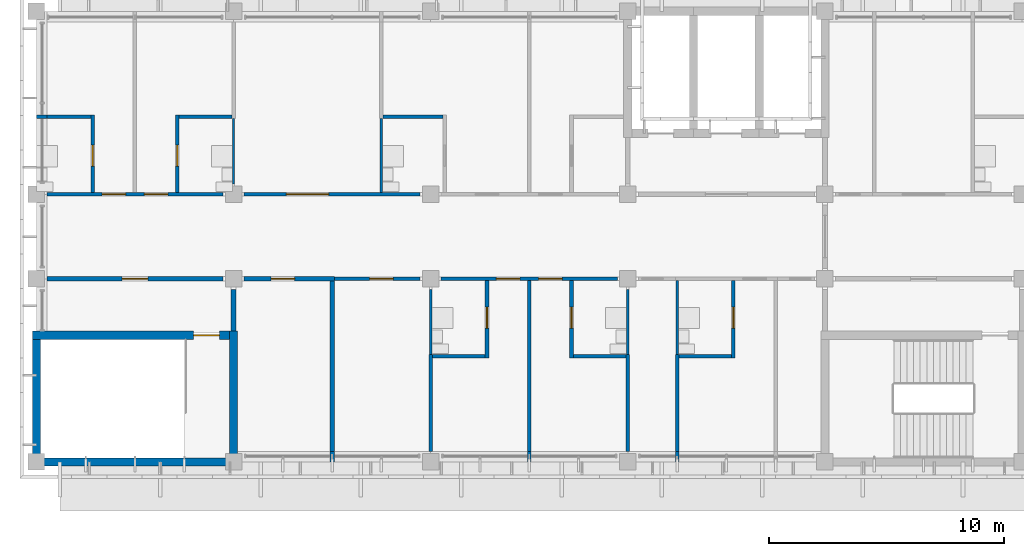
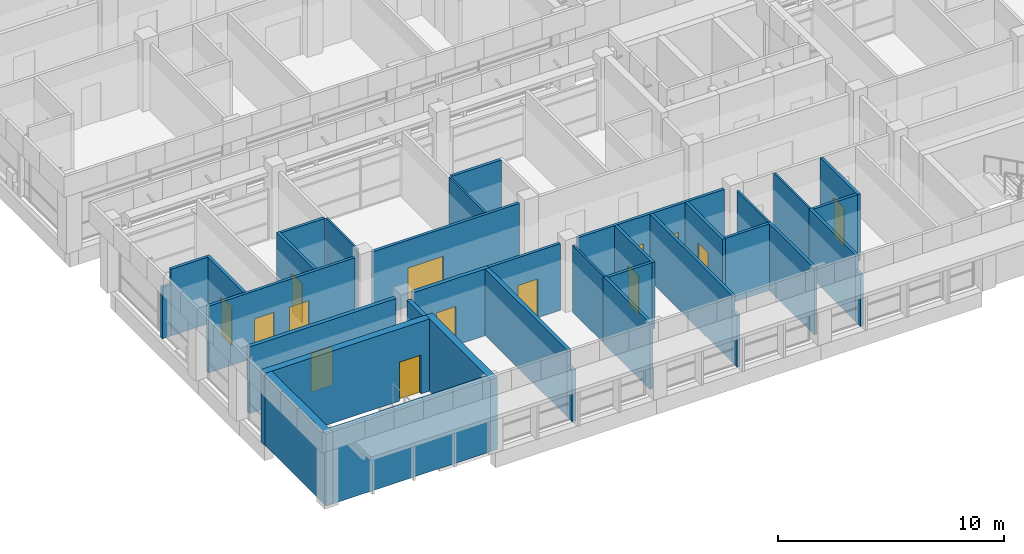
# One storey, part 27 of 71: 36 walls, 14 doors, 14 openings.
"""IFC4 building model written with IfcOpenShell, lengths in metres."""

from ifc_helpers import new_model, si_unit, direction, frame, frame_2d, origin, place, context, subcontext, project, spatial, rectangle, extrude, material, layer, layer_set, type_object, element, fill, save


model = new_model("IFC4")

# Units and contexts
model_context = context("Model", 3, precision=1e-05, world=origin(), true_north=direction((0.0, 1.0)))
body_context = subcontext(model_context, "Body", "Model", "MODEL_VIEW")
ifc_project = project(units=[si_unit("LENGTHUNIT", "METRE"), si_unit("AREAUNIT", "SQUARE_METRE"), si_unit("VOLUMEUNIT", "CUBIC_METRE"), si_unit("PLANEANGLEUNIT", "RADIAN"), si_unit("MASSUNIT", "GRAM", prefix="KILO")], contexts=[model_context])

# Site, building, storey
site_placement = place(None, origin())
site = spatial("IfcSite", under=ifc_project, at=site_placement, CompositionType="ELEMENT")
building_placement = place(site_placement, origin())
building = spatial("IfcBuilding", under=site, at=building_placement, Name="Bougainvillea Quay General Hospital", CompositionType="ELEMENT")
storey_placement = place(building_placement, frame((0.0, 0.0, 24.89990234375)))
storey = spatial("IfcBuildingStorey", under=building, at=storey_placement, Name="L05", CompositionType="ELEMENT", Elevation=24.89990234375)

# Walls
ifc_material_1 = material(Name="Gypsum board partition on steel studs", Category="steel")
ifc_layer_1 = layer(ifc_material_1, 0.10009765625)
ifc_layer_set_1 = layer_set([ifc_layer_1], Name="Gypsum board partition on steel studs")
wall_type_1 = type_object("IfcWallType", Name="Partition 100 Gypsum board partition", PredefinedType="PARTITIONING", material=ifc_layer_set_1)
wall_1_placement = place(storey_placement, frame((50.39990234375, 129.449951171875, 0.0), z_axis=(0.0, 0.0, 1.0), x_axis=(0.0, 1.0, 0.0)))
element("IfcWall", 1, at=wall_1_placement, inside=storey, type_object=wall_type_1, Name="Partition 100 mm", PredefinedType="PARTITIONING", context=body_context, shape_type="SweptSolid", body=[
    extrude(rectangle(XDim=2.775146484375, YDim=0.10009765625, at=frame_2d((1.3876953125, 0.0))), origin(), (0.0, 0.0, 1.0), 3.60009765625),
])
wall_2_placement = place(storey_placement, frame((56.699951171875, 129.074951171875, 0.0), z_axis=(0.0, 0.0, 1.0), x_axis=(0.0, 1.0, 0.0)))
element("IfcWall", 2, at=wall_2_placement, inside=storey, type_object=wall_type_1, Name="Partition 100 mm", PredefinedType="PARTITIONING", context=body_context, shape_type="SweptSolid", body=[
    extrude(rectangle(XDim=3.150146484375, YDim=0.10009765625, at=frame_2d((1.5751953125, 0.0))), origin(), (0.0, 0.0, 1.0), 3.60009765625),
])
for number, where, z_axis, x_axis, name in (
    (3, (58.800048828125, 122.175048828125, 0.0), (0.0, 0.0, 1.0), (0.0, 1.0, 0.0), "Partition 100 mm"),
    (4, (67.199951171875, 122.175048828125, 0.0), (0.0, 0.0, 1.0), (0.0, 1.0, 0.0), "Partition 100 mm"),
):
    element("IfcWall", number, at=place(storey_placement, frame(where, z_axis=z_axis, x_axis=x_axis)), inside=storey, type_object=wall_type_1, Name=name, PredefinedType="PARTITIONING", context=body_context, shape_type="SweptSolid", body=[
        extrude(rectangle(XDim=2.77490234375, YDim=0.10009765625, at=frame_2d((1.387451171875, 0.0))), origin(), (0.0, 0.0, 1.0), 3.60009765625),
    ])
wall_3_placement = place(storey_placement, frame((69.300048828125, 122.175048828125, 0.0), z_axis=(0.0, 0.0, 1.0), x_axis=(0.0, 1.0, 0.0)))
element("IfcWall", 5, at=wall_3_placement, inside=storey, type_object=wall_type_1, Name="Partition 100 mm", PredefinedType="PARTITIONING", context=body_context, shape_type="SweptSolid", body=[
    extrude(rectangle(XDim=3.14990234375, YDim=0.10009765625, at=frame_2d((1.574951171875, 0.0))), origin(), (0.0, 0.0, 1.0), 3.60009765625),
])
ifc_material_2 = material(Name="Gypsum board partition on steel studs, insulated", Category="steel")
ifc_layer_2 = layer(ifc_material_2, 0.14990234375)
ifc_layer_set_2 = layer_set([ifc_layer_2], Name="Gypsum board partition on steel studs, insulated")
wall_type_2 = type_object("IfcWallType", Name="Partition 150 Gypsum board partition", PredefinedType="PARTITIONING", material=ifc_layer_set_2)
wall_4_placement = place(storey_placement, frame((63.0, 117.60009765625, 0.0), z_axis=(0.0, 0.0, 1.0), x_axis=(0.0, 1.0, 0.0)))
element("IfcWall", 6, at=wall_4_placement, inside=storey, type_object=wall_type_2, Name="Partition 150 mm", PredefinedType="PARTITIONING", context=body_context, shape_type="SweptSolid", body=[
    extrude(rectangle(XDim=0.449951171875, YDim=0.14990234375, at=frame_2d((0.22509765625, 0.0))), origin(), (0.0, 0.0, 1.0), 2.780029296875),
])
wall_5_placement = place(storey_placement, frame((63.0, 118.050048828125, 0.0), z_axis=(0.0, 0.0, 1.0), x_axis=(0.0, 1.0, 0.0)))
element("IfcWall", 7, at=wall_5_placement, inside=storey, type_object=wall_type_2, Name="Partition 150 mm", PredefinedType="PARTITIONING", context=body_context, shape_type="SweptSolid", body=[
    extrude(rectangle(XDim=7.27490234375, YDim=0.14990234375, at=frame_2d((3.637451171875, 0.0))), origin(), (0.0, 0.0, 1.0), 3.60009765625),
])
for number, where, z_axis, x_axis, name in (
    (8, (58.800048828125, 118.050048828125, 0.0), (0.0, 0.0, 1.0), (0.0, 1.0, 0.0), "Partition 150 mm"),
    (9, (67.199951171875, 118.050048828125, 0.0), (0.0, 0.0, 1.0), (0.0, 1.0, 0.0), "Partition 150 mm"),
):
    element("IfcWall", number, at=place(storey_placement, frame(where, z_axis=z_axis, x_axis=x_axis)), inside=storey, type_object=wall_type_2, Name=name, PredefinedType="PARTITIONING", context=body_context, shape_type="SweptSolid", body=[
        extrude(rectangle(XDim=4.125, YDim=0.14990234375, at=frame_2d((2.0625, 0.0))), origin(), (0.0, 0.0, 1.0), 3.60009765625),
    ])
wall_6_placement = place(storey_placement, frame((69.300048828125, 117.60009765625, 0.0), z_axis=(0.0, 0.0, 1.0), x_axis=(0.0, 1.0, 0.0)))
element("IfcWall", 10, at=wall_6_placement, inside=storey, type_object=wall_type_2, Name="Partition 150 mm", PredefinedType="PARTITIONING", context=body_context, shape_type="SweptSolid", body=[
    extrude(rectangle(XDim=0.449951171875, YDim=0.14990234375, at=frame_2d((0.22509765625, 0.0))), origin(), (0.0, 0.0, 1.0), 2.780029296875),
])
wall_7_placement = place(storey_placement, frame((69.300048828125, 118.050048828125, 0.0), z_axis=(0.0, 0.0, 1.0), x_axis=(0.0, 1.0, 0.0)))
element("IfcWall", 11, at=wall_7_placement, inside=storey, type_object=wall_type_2, Name="Partition 150 mm", PredefinedType="PARTITIONING", context=body_context, shape_type="SweptSolid", body=[
    extrude(rectangle(XDim=4.125, YDim=0.14990234375, at=frame_2d((2.0625, 0.0))), origin(), (0.0, 0.0, 1.0), 3.60009765625),
])

# Wall, opening, door
wall_8_placement = place(storey_placement, frame((44.39990234375, 129.074951171875, 0.0), z_axis=(0.0, 0.0, 1.0), x_axis=(0.0, 1.0, 0.0)))
wall_8 = element("IfcWall", 12, at=wall_8_placement, inside=storey, type_object=wall_type_2, Name="Partition 150 mm", PredefinedType="PARTITIONING", context=body_context, shape_type="SweptSolid", body=[
    extrude(rectangle(XDim=3.300048828125, YDim=0.14990234375, at=frame_2d((1.64990234375, 0.0))), origin(), (0.0, 0.0, 1.0), 3.60009765625),
])
opening_1_placement = place(wall_8_placement, frame((1.125, 0.0, 0.0)))
opening_1 = element("IfcOpeningElement", 13, at=opening_1_placement, cuts=wall_8, Name="Opening L05.079", PredefinedType="OPENING", context=body_context, shape_type="SweptSolid", body=[
    extrude(rectangle(XDim=0.89990234375, YDim=2.10009765625, at=frame_2d((0.449951171875, 1.050048828125))), frame((0.0, 0.0849609375, 0.0), z_axis=(0.0, -1.0, 0.0), x_axis=(1.0, 0.0, 0.0)), (0.0, 0.0, 1.0), 0.169921875),
])
ifc_material_3 = material(Name="Solid-core timber door leaf in steel frame", Category="steel")
door_type_1 = type_object("IfcDoorType", Name="Single leaf door 900x2100", OperationType="NOTDEFINED", PredefinedType="DOOR", material=ifc_material_3)
door_1_placement = place(opening_1_placement, origin())
door_1 = element("IfcDoor", 14, at=door_1_placement, inside=storey, type_object=door_type_1, Name="DT07 L05.079", OperationType="SINGLE_SWING_LEFT", OverallHeight=2.10009765625, OverallWidth=0.89990234375, PredefinedType="DOOR", context=body_context, shape_type="SweptSolid", body=[
    extrude(rectangle(XDim=0.89990234375, YDim=2.10009765625, at=frame_2d((0.449951171875, 1.050048828125))), frame((0.0, 0.02490234375, 0.0), z_axis=(0.0, -1.0, 0.0), x_axis=(1.0, 0.0, 0.0)), (0.0, 0.0, 1.0), 0.050048828125),
])
fill(opening_1, door_1)

wall_9_placement = place(storey_placement, frame((48.0, 129.074951171875, 0.0), z_axis=(0.0, 0.0, 1.0), x_axis=(0.0, 1.0, 0.0)))
wall_9 = element("IfcWall", 15, at=wall_9_placement, inside=storey, type_object=wall_type_2, Name="Partition 150 mm", PredefinedType="PARTITIONING", context=body_context, shape_type="SweptSolid", body=[
    extrude(rectangle(XDim=3.300048828125, YDim=0.14990234375, at=frame_2d((1.64990234375, 0.0))), origin(), (0.0, 0.0, 1.0), 3.60009765625),
])
opening_2_placement = place(wall_9_placement, frame((1.125, 0.0, 0.0)))
opening_2 = element("IfcOpeningElement", 16, at=opening_2_placement, cuts=wall_9, Name="Opening L05.081", PredefinedType="OPENING", context=body_context, shape_type="SweptSolid", body=[
    extrude(rectangle(XDim=0.89990234375, YDim=2.10009765625, at=frame_2d((0.449951171875, 1.050048828125))), frame((0.0, 0.0849609375, 0.0), z_axis=(0.0, -1.0, 0.0), x_axis=(1.0, 0.0, 0.0)), (0.0, 0.0, 1.0), 0.169921875),
])
door_2_placement = place(opening_2_placement, frame((0.89990234375, 0.0, 0.0), z_axis=(0.0, 0.0, 1.0), x_axis=(-1.0, 0.0, 0.0)))
door_2 = element("IfcDoor", 17, at=door_2_placement, inside=storey, type_object=door_type_1, Name="DT07 L05.081", OperationType="SINGLE_SWING_RIGHT", OverallHeight=2.10009765625, OverallWidth=0.89990234375, PredefinedType="DOOR", context=body_context, shape_type="SweptSolid", body=[
    extrude(rectangle(XDim=0.89990234375, YDim=2.10009765625, at=frame_2d((0.449951171875, 1.050048828125))), frame((0.0, 0.02490234375, 0.0), z_axis=(0.0, -1.0, 0.0), x_axis=(1.0, 0.0, 0.0)), (0.0, 0.0, 1.0), 0.050048828125),
])
fill(opening_2, door_2)

wall_10_placement = place(storey_placement, frame((61.199951171875, 122.02490234375, 0.0), z_axis=(0.0, 0.0, 1.0), x_axis=(0.0, 1.0, 0.0)))
wall_10 = element("IfcWall", 18, at=wall_10_placement, inside=storey, type_object=wall_type_2, Name="Partition 150 mm", PredefinedType="PARTITIONING", context=body_context, shape_type="SweptSolid", body=[
    extrude(rectangle(XDim=3.300048828125, YDim=0.14990234375, at=frame_2d((1.64990234375, 0.0))), origin(), (0.0, 0.0, 1.0), 3.60009765625),
])
opening_3_placement = place(wall_10_placement, frame((1.27490234375, 0.0, 0.0)))
opening_3 = element("IfcOpeningElement", 19, at=opening_3_placement, cuts=wall_10, Name="Opening L05.089", PredefinedType="OPENING", context=body_context, shape_type="SweptSolid", body=[
    extrude(rectangle(XDim=0.89990234375, YDim=2.10009765625, at=frame_2d((0.449951171875, 1.050048828125))), frame((0.0, 0.0849609375, 0.0), z_axis=(0.0, -1.0, 0.0), x_axis=(1.0, 0.0, 0.0)), (0.0, 0.0, 1.0), 0.169921875),
])
door_3_placement = place(opening_3_placement, origin())
door_3 = element("IfcDoor", 20, at=door_3_placement, inside=storey, type_object=door_type_1, Name="DT07 L05.089", OperationType="SINGLE_SWING_RIGHT", OverallHeight=2.10009765625, OverallWidth=0.89990234375, PredefinedType="DOOR", context=body_context, shape_type="SweptSolid", body=[
    extrude(rectangle(XDim=0.89990234375, YDim=2.10009765625, at=frame_2d((0.449951171875, 1.050048828125))), frame((0.0, 0.02490234375, 0.0), z_axis=(0.0, -1.0, 0.0), x_axis=(1.0, 0.0, 0.0)), (0.0, 0.0, 1.0), 0.050048828125),
])
fill(opening_3, door_3)

wall_11_placement = place(storey_placement, frame((64.800048828125, 122.02490234375, 0.0), z_axis=(0.0, 0.0, 1.0), x_axis=(0.0, 1.0, 0.0)))
wall_11 = element("IfcWall", 21, at=wall_11_placement, inside=storey, type_object=wall_type_2, Name="Partition 150 mm", PredefinedType="PARTITIONING", context=body_context, shape_type="SweptSolid", body=[
    extrude(rectangle(XDim=3.300048828125, YDim=0.14990234375, at=frame_2d((1.64990234375, 0.0))), origin(), (0.0, 0.0, 1.0), 3.60009765625),
])
opening_4_placement = place(wall_11_placement, frame((1.27490234375, 0.0, 0.0)))
opening_4 = element("IfcOpeningElement", 22, at=opening_4_placement, cuts=wall_11, Name="Opening L05.091", PredefinedType="OPENING", context=body_context, shape_type="SweptSolid", body=[
    extrude(rectangle(XDim=0.89990234375, YDim=2.10009765625, at=frame_2d((0.449951171875, 1.050048828125))), frame((0.0, 0.0849609375, 0.0), z_axis=(0.0, -1.0, 0.0), x_axis=(1.0, 0.0, 0.0)), (0.0, 0.0, 1.0), 0.169921875),
])
door_4_placement = place(opening_4_placement, frame((0.89990234375, 0.0, 0.0), z_axis=(0.0, 0.0, 1.0), x_axis=(-1.0, 0.0, 0.0)))
door_4 = element("IfcDoor", 23, at=door_4_placement, inside=storey, type_object=door_type_1, Name="DT07 L05.091", OperationType="SINGLE_SWING_LEFT", OverallHeight=2.10009765625, OverallWidth=0.89990234375, PredefinedType="DOOR", context=body_context, shape_type="SweptSolid", body=[
    extrude(rectangle(XDim=0.89990234375, YDim=2.10009765625, at=frame_2d((0.449951171875, 1.050048828125))), frame((0.0, 0.02490234375, 0.0), z_axis=(0.0, -1.0, 0.0), x_axis=(1.0, 0.0, 0.0)), (0.0, 0.0, 1.0), 0.050048828125),
])
fill(opening_4, door_4)

wall_12_placement = place(storey_placement, frame((71.699951171875, 122.02490234375, 0.0), z_axis=(0.0, 0.0, 1.0), x_axis=(0.0, 1.0, 0.0)))
wall_12 = element("IfcWall", 24, at=wall_12_placement, inside=storey, type_object=wall_type_2, Name="Partition 150 mm", PredefinedType="PARTITIONING", context=body_context, shape_type="SweptSolid", body=[
    extrude(rectangle(XDim=3.300048828125, YDim=0.14990234375, at=frame_2d((1.64990234375, 0.0))), origin(), (0.0, 0.0, 1.0), 3.60009765625),
])
opening_5_placement = place(wall_12_placement, frame((1.27490234375, 0.0, 0.0)))
opening_5 = element("IfcOpeningElement", 25, at=opening_5_placement, cuts=wall_12, Name="Opening L05.094", PredefinedType="OPENING", context=body_context, shape_type="SweptSolid", body=[
    extrude(rectangle(XDim=0.89990234375, YDim=2.10009765625, at=frame_2d((0.449951171875, 1.050048828125))), frame((0.0, 0.0849609375, 0.0), z_axis=(0.0, -1.0, 0.0), x_axis=(1.0, 0.0, 0.0)), (0.0, 0.0, 1.0), 0.169921875),
])
door_5_placement = place(opening_5_placement, origin())
door_5 = element("IfcDoor", 26, at=door_5_placement, inside=storey, type_object=door_type_1, Name="DT07 L05.094", OperationType="SINGLE_SWING_RIGHT", OverallHeight=2.10009765625, OverallWidth=0.89990234375, PredefinedType="DOOR", context=body_context, shape_type="SweptSolid", body=[
    extrude(rectangle(XDim=0.89990234375, YDim=2.10009765625, at=frame_2d((0.449951171875, 1.050048828125))), frame((0.0, 0.02490234375, 0.0), z_axis=(0.0, -1.0, 0.0), x_axis=(1.0, 0.0, 0.0)), (0.0, 0.0, 1.0), 0.050048828125),
])
fill(opening_5, door_5)

# Walls
wall_13_placement = place(storey_placement, frame((56.77490234375, 132.300048828125, 0.0), z_axis=(0.0, 0.0, 1.0), x_axis=(1.0, 0.0, 0.0)))
element("IfcWall", 27, at=wall_13_placement, inside=storey, type_object=wall_type_2, Name="Partition 150 mm", PredefinedType="PARTITIONING", context=body_context, shape_type="SweptSolid", body=[
    extrude(rectangle(XDim=2.550048828125, YDim=0.14990234375, at=frame_2d((1.27490234375, 0.0))), origin(), (0.0, 0.0, 1.0), 3.60009765625),
])
for number, where, z_axis, x_axis, name in (
    (28, (58.875, 122.10009765625, 0.0), (0.0, 0.0, 1.0), (1.0, 0.0, 0.0), "Partition 150 mm"),
    (29, (64.875, 122.10009765625, 0.0), (0.0, 0.0, 1.0), (1.0, 0.0, 0.0), "Partition 150 mm"),
    (30, (69.375, 122.10009765625, 0.0), (0.0, 0.0, 1.0), (1.0, 0.0, 0.0), "Partition 150 mm"),
):
    element("IfcWall", number, at=place(storey_placement, frame(where, z_axis=z_axis, x_axis=x_axis)), inside=storey, type_object=wall_type_2, Name=name, PredefinedType="PARTITIONING", context=body_context, shape_type="SweptSolid", body=[
        extrude(rectangle(XDim=2.25, YDim=0.14990234375, at=frame_2d((1.125, 0.0))), origin(), (0.0, 0.0, 1.0), 3.60009765625),
    ])
wall_14_placement = place(storey_placement, frame((42.0, 132.300048828125, 0.0), z_axis=(0.0, 0.0, 1.0), x_axis=(1.0, 0.0, 0.0)))
element("IfcWall", 31, at=wall_14_placement, inside=storey, type_object=wall_type_2, Name="Partition 150 mm", PredefinedType="PARTITIONING", context=body_context, shape_type="SweptSolid", body=[
    extrude(rectangle(XDim=0.449951171875, YDim=0.14990234375, at=frame_2d((0.22509765625, 0.0))), origin(), (0.0, 0.0, 1.0), 2.780029296875),
])
wall_15_placement = place(storey_placement, frame((42.449951171875, 132.300048828125, 0.0), z_axis=(0.0, 0.0, 1.0), x_axis=(1.0, 0.0, 0.0)))
element("IfcWall", 32, at=wall_15_placement, inside=storey, type_object=wall_type_2, Name="Partition 150 mm", PredefinedType="PARTITIONING", context=body_context, shape_type="SweptSolid", body=[
    extrude(rectangle(XDim=1.875, YDim=0.14990234375, at=frame_2d((0.9375, 0.0))), origin(), (0.0, 0.0, 1.0), 3.60009765625),
])
wall_16_placement = place(storey_placement, frame((48.074951171875, 132.300048828125, 0.0), z_axis=(0.0, 0.0, 1.0), x_axis=(1.0, 0.0, 0.0)))
element("IfcWall", 33, at=wall_16_placement, inside=storey, type_object=wall_type_2, Name="Partition 150 mm", PredefinedType="PARTITIONING", context=body_context, shape_type="SweptSolid", body=[
    extrude(rectangle(XDim=2.25, YDim=0.14990234375, at=frame_2d((1.125, 0.0))), origin(), (0.0, 0.0, 1.0), 3.60009765625),
])

# Wall, opening, door
ifc_layer_3 = layer(ifc_material_2, 0.14990234375)
ifc_layer_set_3 = layer_set([ifc_layer_3], Name="Gypsum board partition on steel studs, insulated")
wall_type_3 = type_object("IfcWallType", Name="Partition 150 Gypsum board partition EI 30", PredefinedType="PARTITIONING", material=ifc_layer_set_3)
wall_17_placement = place(storey_placement, frame((58.35009765625, 129.0, 0.0), z_axis=(0.0, 0.0, 1.0), x_axis=(-1.0, 0.0, 0.0)))
wall_17 = element("IfcWall", 34, at=wall_17_placement, inside=storey, type_object=wall_type_3, Name="Partition 150 mm EI 30", PredefinedType="PARTITIONING", context=body_context, shape_type="SweptSolid", body=[
    extrude(rectangle(XDim=7.5, YDim=0.14990234375, at=frame_2d((3.75, 0.0))), origin(), (0.0, 0.0, 1.0), 3.60009765625),
])
opening_6_placement = place(wall_17_placement, frame((3.89990234375, 0.0, 0.0)))
opening_6 = element("IfcOpeningElement", 35, at=opening_6_placement, cuts=wall_17, Name="Opening L05.082", PredefinedType="OPENING", context=body_context, shape_type="SweptSolid", body=[
    extrude(rectangle(XDim=1.800048828125, YDim=2.10009765625, at=frame_2d((0.89990234375, 1.050048828125))), frame((0.0, 0.0849609375, 0.0), z_axis=(0.0, -1.0, 0.0), x_axis=(1.0, 0.0, 0.0)), (0.0, 0.0, 1.0), 0.169921875),
])
ifc_material_4 = material(Name="Solid-core timber door leaves in steel frame", Category="steel")
door_type_2 = type_object("IfcDoorType", Name="Double leaf door 1800x2100 FD30S", OperationType="DOUBLE_DOOR_SINGLE_SWING", PredefinedType="DOOR", material=ifc_material_4)
door_6_placement = place(opening_6_placement, frame((1.800048828125, 0.0, 0.0), z_axis=(0.0, 0.0, 1.0), x_axis=(-1.0, 0.0, 0.0)))
door_6 = element("IfcDoor", 36, at=door_6_placement, inside=storey, type_object=door_type_2, Name="DT17 L05.082", OperationType="DOUBLE_DOOR_SINGLE_SWING", OverallHeight=2.10009765625, OverallWidth=1.800048828125, PredefinedType="DOOR", context=body_context, shape_type="SweptSolid", body=[
    extrude(rectangle(XDim=1.800048828125, YDim=2.10009765625, at=frame_2d((0.89990234375, 1.050048828125))), frame((0.0, 0.02490234375, 0.0), z_axis=(0.0, -1.0, 0.0), x_axis=(1.0, 0.0, 0.0)), (0.0, 0.0, 1.0), 0.050048828125),
])
fill(opening_6, door_6)

# Wall, openings, doors
wall_18_placement = place(storey_placement, frame((49.949951171875, 129.0, 0.0), z_axis=(0.0, 0.0, 1.0), x_axis=(-1.0, 0.0, 0.0)))
wall_18 = element("IfcWall", 37, at=wall_18_placement, inside=storey, type_object=wall_type_3, Name="Partition 150 mm EI 30", PredefinedType="PARTITIONING", context=body_context, shape_type="SweptSolid", body=[
    extrude(rectangle(XDim=7.5, YDim=0.14990234375, at=frame_2d((3.75, 0.0))), origin(), (0.0, 0.0, 1.0), 3.60009765625),
])
opening_7_placement = place(wall_18_placement, frame((4.14990234375, 0.0, 0.0)))
opening_7 = element("IfcOpeningElement", 38, at=opening_7_placement, cuts=wall_18, Name="Opening L05.078", PredefinedType="OPENING", context=body_context, shape_type="SweptSolid", body=[
    extrude(rectangle(XDim=1.0, YDim=2.10009765625, at=frame_2d((0.5, 1.050048828125))), frame((0.0, 0.0849609375, 0.0), z_axis=(0.0, -1.0, 0.0), x_axis=(1.0, 0.0, 0.0)), (0.0, 0.0, 1.0), 0.169921875),
])
opening_8_placement = place(wall_18_placement, frame((2.35009765625, 0.0, 0.0)))
opening_8 = element("IfcOpeningElement", 39, at=opening_8_placement, cuts=wall_18, Name="Opening L05.080", PredefinedType="OPENING", context=body_context, shape_type="SweptSolid", body=[
    extrude(rectangle(XDim=1.0, YDim=2.10009765625, at=frame_2d((0.5, 1.050048828125))), frame((0.0, 0.0849609375, 0.0), z_axis=(0.0, -1.0, 0.0), x_axis=(1.0, 0.0, 0.0)), (0.0, 0.0, 1.0), 0.169921875),
])
door_type_3 = type_object("IfcDoorType", Name="Single leaf door 1000x2100 FD30S", OperationType="NOTDEFINED", PredefinedType="DOOR", material=ifc_material_3)
door_7_placement = place(opening_7_placement, frame((1.0, 0.0, 0.0), z_axis=(0.0, 0.0, 1.0), x_axis=(-1.0, 0.0, 0.0)))
door_7 = element("IfcDoor", 40, at=door_7_placement, inside=storey, type_object=door_type_3, Name="DT15 L05.078", OperationType="SINGLE_SWING_LEFT", OverallHeight=2.10009765625, OverallWidth=1.0, PredefinedType="DOOR", context=body_context, shape_type="SweptSolid", body=[
    extrude(rectangle(XDim=1.0, YDim=2.10009765625, at=frame_2d((0.5, 1.050048828125))), frame((0.0, 0.02490234375, 0.0), z_axis=(0.0, -1.0, 0.0), x_axis=(1.0, 0.0, 0.0)), (0.0, 0.0, 1.0), 0.050048828125),
])
fill(opening_7, door_7)
door_8_placement = place(opening_8_placement, frame((1.0, 0.0, 0.0), z_axis=(0.0, 0.0, 1.0), x_axis=(-1.0, 0.0, 0.0)))
door_8 = element("IfcDoor", 41, at=door_8_placement, inside=storey, type_object=door_type_3, Name="DT15 L05.080", OperationType="SINGLE_SWING_RIGHT", OverallHeight=2.10009765625, OverallWidth=1.0, PredefinedType="DOOR", context=body_context, shape_type="SweptSolid", body=[
    extrude(rectangle(XDim=1.0, YDim=2.10009765625, at=frame_2d((0.5, 1.050048828125))), frame((0.0, 0.02490234375, 0.0), z_axis=(0.0, -1.0, 0.0), x_axis=(1.0, 0.0, 0.0)), (0.0, 0.0, 1.0), 0.050048828125),
])
fill(opening_8, door_8)

wall_19_placement = place(storey_placement, frame((66.75, 125.39990234375, 0.0), z_axis=(0.0, 0.0, 1.0), x_axis=(-1.0, 0.0, 0.0)))
wall_19 = element("IfcWall", 42, at=wall_19_placement, inside=storey, type_object=wall_type_3, Name="Partition 150 mm EI 30", PredefinedType="PARTITIONING", context=body_context, shape_type="SweptSolid", body=[
    extrude(rectangle(XDim=7.5, YDim=0.14990234375, at=frame_2d((3.75, 0.0))), origin(), (0.0, 0.0, 1.0), 3.60009765625),
])
opening_9_placement = place(wall_19_placement, frame((4.14990234375, 0.0, 0.0)))
opening_9 = element("IfcOpeningElement", 43, at=opening_9_placement, cuts=wall_19, Name="Opening L05.088", PredefinedType="OPENING", context=body_context, shape_type="SweptSolid", body=[
    extrude(rectangle(XDim=1.0, YDim=2.10009765625, at=frame_2d((0.5, 1.050048828125))), frame((0.0, 0.0849609375, 0.0), z_axis=(0.0, -1.0, 0.0), x_axis=(1.0, 0.0, 0.0)), (0.0, 0.0, 1.0), 0.169921875),
])
opening_10_placement = place(wall_19_placement, frame((2.35009765625, 0.0, 0.0)))
opening_10 = element("IfcOpeningElement", 44, at=opening_10_placement, cuts=wall_19, Name="Opening L05.090", PredefinedType="OPENING", context=body_context, shape_type="SweptSolid", body=[
    extrude(rectangle(XDim=1.0, YDim=2.10009765625, at=frame_2d((0.5, 1.050048828125))), frame((0.0, 0.0849609375, 0.0), z_axis=(0.0, -1.0, 0.0), x_axis=(1.0, 0.0, 0.0)), (0.0, 0.0, 1.0), 0.169921875),
])
door_9_placement = place(opening_9_placement, origin())
door_9 = element("IfcDoor", 45, at=door_9_placement, inside=storey, type_object=door_type_3, Name="DT15 L05.088", OperationType="SINGLE_SWING_RIGHT", OverallHeight=2.10009765625, OverallWidth=1.0, PredefinedType="DOOR", context=body_context, shape_type="SweptSolid", body=[
    extrude(rectangle(XDim=1.0, YDim=2.10009765625, at=frame_2d((0.5, 1.050048828125))), frame((0.0, 0.02490234375, 0.0), z_axis=(0.0, -1.0, 0.0), x_axis=(1.0, 0.0, 0.0)), (0.0, 0.0, 1.0), 0.050048828125),
])
fill(opening_9, door_9)
door_10_placement = place(opening_10_placement, origin())
door_10 = element("IfcDoor", 46, at=door_10_placement, inside=storey, type_object=door_type_3, Name="DT15 L05.090", OperationType="SINGLE_SWING_LEFT", OverallHeight=2.10009765625, OverallWidth=1.0, PredefinedType="DOOR", context=body_context, shape_type="SweptSolid", body=[
    extrude(rectangle(XDim=1.0, YDim=2.10009765625, at=frame_2d((0.5, 1.050048828125))), frame((0.0, 0.02490234375, 0.0), z_axis=(0.0, -1.0, 0.0), x_axis=(1.0, 0.0, 0.0)), (0.0, 0.0, 1.0), 0.050048828125),
])
fill(opening_10, door_10)

# Wall, opening, door
ifc_layer_4 = layer(ifc_material_2, 0.14990234375)
ifc_layer_set_4 = layer_set([ifc_layer_4], Name="Gypsum board partition on steel studs, insulated")
wall_type_4 = type_object("IfcWallType", Name="Partition 150 Gypsum board partition EI 60", PredefinedType="PARTITIONING", material=ifc_layer_set_4)
wall_20_placement = place(storey_placement, frame((54.699951171875, 125.39990234375, 0.0), z_axis=(0.0, 0.0, 1.0), x_axis=(1.0, 0.0, 0.0)))
wall_20 = element("IfcWall", 47, at=wall_20_placement, inside=storey, type_object=wall_type_4, Name="Partition 150 mm EI 60", PredefinedType="PARTITIONING", context=body_context, shape_type="SweptSolid", body=[
    extrude(rectangle(XDim=3.650146484375, YDim=0.14990234375, at=frame_2d((1.8251953125, 0.0))), origin(), (0.0, 0.0, 1.0), 3.60009765625),
])
opening_11_placement = place(wall_20_placement, frame((1.5, 0.0, 0.0)))
opening_11 = element("IfcOpeningElement", 48, at=opening_11_placement, cuts=wall_20, Name="Opening L05.087", PredefinedType="OPENING", context=body_context, shape_type="SweptSolid", body=[
    extrude(rectangle(XDim=1.0, YDim=2.10009765625, at=frame_2d((0.5, 1.050048828125))), frame((0.0, 0.0849609375, 0.0), z_axis=(0.0, -1.0, 0.0), x_axis=(1.0, 0.0, 0.0)), (0.0, 0.0, 1.0), 0.169921875),
])
door_type_4 = type_object("IfcDoorType", Name="Single leaf door 1000x2100 FD60", OperationType="NOTDEFINED", PredefinedType="DOOR", material=ifc_material_3)
door_11_placement = place(opening_11_placement, frame((1.0, 0.0, 0.0), z_axis=(0.0, 0.0, 1.0), x_axis=(-1.0, 0.0, 0.0)))
door_11 = element("IfcDoor", 49, at=door_11_placement, inside=storey, type_object=door_type_4, Name="DT14 L05.087", OperationType="SINGLE_SWING_LEFT", OverallHeight=2.10009765625, OverallWidth=1.0, PredefinedType="DOOR", context=body_context, shape_type="SweptSolid", body=[
    extrude(rectangle(XDim=1.0, YDim=2.10009765625, at=frame_2d((0.5, 1.050048828125))), frame((0.0, 0.02490234375, 0.0), z_axis=(0.0, -1.0, 0.0), x_axis=(1.0, 0.0, 0.0)), (0.0, 0.0, 1.0), 0.050048828125),
])
fill(opening_11, door_11)

ifc_material_5 = material(Name="Fire-rated autoclaved aerated block wall, plastered")
ifc_layer_5 = layer(ifc_material_5, 0.199951171875)
ifc_layer_set_5 = layer_set([ifc_layer_5], Name="Fire-rated autoclaved aerated block wall, plastered")
wall_type_5 = type_object("IfcWallType", Name="Partition 200 Fire-rated autoclaved aerated block wall EI 120", PredefinedType="SOLIDWALL", material=ifc_layer_set_5)
wall_21_placement = place(storey_placement, frame((42.449951171875, 125.39990234375, 0.0), z_axis=(0.0, 0.0, 1.0), x_axis=(1.0, 0.0, 0.0)))
wall_21 = element("IfcWall", 50, at=wall_21_placement, inside=storey, type_object=wall_type_5, Name="Partition 200 mm EI 120", PredefinedType="SOLIDWALL", context=body_context, shape_type="SweptSolid", body=[
    extrude(rectangle(XDim=7.5, YDim=0.199951171875, at=frame_2d((3.75, 0.0))), origin(), (0.0, 0.0, 1.0), 3.60009765625),
])
opening_12_placement = place(wall_21_placement, frame((3.199951171875, 0.0, 0.0)))
opening_12 = element("IfcOpeningElement", 51, at=opening_12_placement, cuts=wall_21, Name="Opening L05.158", PredefinedType="OPENING", context=body_context, shape_type="SweptSolid", body=[
    extrude(rectangle(XDim=1.10009765625, YDim=2.10009765625, at=frame_2d((0.550048828125, 1.050048828125))), frame((0.0, 0.10986328125, 0.0), z_axis=(0.0, -1.0, 0.0), x_axis=(1.0, 0.0, 0.0)), (0.0, 0.0, 1.0), 0.219970703125),
])
ifc_material_6 = material(Name="Steel fire door leaf in steel frame", Category="steel")
door_type_5 = type_object("IfcDoorType", Name="Steel single leaf door 1100x2100 FD60", OperationType="NOTDEFINED", PredefinedType="DOOR", material=ifc_material_6)
door_12_placement = place(opening_12_placement, frame((1.10009765625, 0.0, 0.0), z_axis=(0.0, 0.0, 1.0), x_axis=(-1.0, 0.0, 0.0)))
door_12 = element("IfcDoor", 52, at=door_12_placement, inside=storey, type_object=door_type_5, Name="DT04 L05.158", OperationType="SINGLE_SWING_LEFT", OverallHeight=2.10009765625, OverallWidth=1.10009765625, PredefinedType="DOOR", context=body_context, shape_type="SweptSolid", body=[
    extrude(rectangle(XDim=1.10009765625, YDim=2.10009765625, at=frame_2d((0.550048828125, 1.050048828125))), frame((0.0, 0.02490234375, 0.0), z_axis=(0.0, -1.0, 0.0), x_axis=(1.0, 0.0, 0.0)), (0.0, 0.0, 1.0), 0.050048828125),
])
fill(opening_12, door_12)

wall_22_placement = place(storey_placement, frame((50.85009765625, 125.39990234375, 0.0), z_axis=(0.0, 0.0, 1.0), x_axis=(1.0, 0.0, 0.0)))
wall_22 = element("IfcWall", 53, at=wall_22_placement, inside=storey, type_object=wall_type_5, Name="Partition 200 mm EI 120", PredefinedType="SOLIDWALL", context=body_context, shape_type="SweptSolid", body=[
    extrude(rectangle(XDim=3.849853515625, YDim=0.199951171875, at=frame_2d((1.9248046875, 0.0))), origin(), (0.0, 0.0, 1.0), 3.60009765625),
])
opening_13_placement = place(wall_22_placement, frame((1.14990234375, 0.0, 0.0)))
opening_13 = element("IfcOpeningElement", 54, at=opening_13_placement, cuts=wall_22, Name="Opening L05.143", PredefinedType="OPENING", context=body_context, shape_type="SweptSolid", body=[
    extrude(rectangle(XDim=1.0, YDim=2.10009765625, at=frame_2d((0.5, 1.050048828125))), frame((0.0, 0.10986328125, 0.0), z_axis=(0.0, -1.0, 0.0), x_axis=(1.0, 0.0, 0.0)), (0.0, 0.0, 1.0), 0.219970703125),
])
door_type_6 = type_object("IfcDoorType", Name="Steel single leaf door 1000x2100 FD90", OperationType="NOTDEFINED", PredefinedType="DOOR", material=ifc_material_6)
door_13_placement = place(opening_13_placement, frame((1.0, 0.0, 0.0), z_axis=(0.0, 0.0, 1.0), x_axis=(-1.0, 0.0, 0.0)))
door_13 = element("IfcDoor", 55, at=door_13_placement, inside=storey, type_object=door_type_6, Name="DT11 L05.143", OperationType="SINGLE_SWING_RIGHT", OverallHeight=2.10009765625, OverallWidth=1.0, PredefinedType="DOOR", context=body_context, shape_type="SweptSolid", body=[
    extrude(rectangle(XDim=1.0, YDim=2.10009765625, at=frame_2d((0.5, 1.050048828125))), frame((0.0, 0.02490234375, 0.0), z_axis=(0.0, -1.0, 0.0), x_axis=(1.0, 0.0, 0.0)), (0.0, 0.0, 1.0), 0.050048828125),
])
fill(opening_13, door_13)

# Walls
wall_23_placement = place(storey_placement, frame((50.39990234375, 123.175048828125, 0.0), z_axis=(0.0, 0.0, 1.0), x_axis=(0.0, 1.0, 0.0)))
element("IfcWall", 56, at=wall_23_placement, inside=storey, type_object=wall_type_5, Name="Partition 200 mm EI 120", PredefinedType="SOLIDWALL", context=body_context, shape_type="SweptSolid", body=[
    extrude(rectangle(XDim=1.77490234375, YDim=0.199951171875, at=frame_2d((0.887451171875, 0.0))), origin(), (0.0, 0.0, 1.0), 3.60009765625),
])
wall_24_placement = place(storey_placement, frame((54.60009765625, 117.60009765625, 0.0), z_axis=(0.0, 0.0, 1.0), x_axis=(0.0, 1.0, 0.0)))
element("IfcWall", 57, at=wall_24_placement, inside=storey, type_object=wall_type_5, Name="Partition 200 mm EI 120", PredefinedType="SOLIDWALL", context=body_context, shape_type="SweptSolid", body=[
    extrude(rectangle(XDim=0.449951171875, YDim=0.199951171875, at=frame_2d((0.22509765625, 0.0))), origin(), (0.0, 0.0, 1.0), 2.780029296875),
])
wall_25_placement = place(storey_placement, frame((54.60009765625, 118.050048828125, 0.0), z_axis=(0.0, 0.0, 1.0), x_axis=(0.0, 1.0, 0.0)))
element("IfcWall", 58, at=wall_25_placement, inside=storey, type_object=wall_type_5, Name="Partition 200 mm EI 120", PredefinedType="SOLIDWALL", context=body_context, shape_type="SweptSolid", body=[
    extrude(rectangle(XDim=7.25, YDim=0.199951171875, at=frame_2d((3.625, 0.0))), origin(), (0.0, 0.0, 1.0), 3.60009765625),
])

# Wall, opening, door
ifc_material_7 = material(Name="Concrete C40", Category="concrete")
ifc_layer_6 = layer(ifc_material_7, 0.35009765625)
ifc_layer_set_6 = layer_set([ifc_layer_6], Name="Concrete C40")
wall_type_6 = type_object("IfcWallType", Name="RC SHEAR WALL 350 C40", PredefinedType="SHEAR", material=ifc_layer_set_6)
wall_26_placement = place(storey_placement, frame((41.824951171875, 123.0, 0.0), z_axis=(0.0, 0.0, 1.0), x_axis=(1.0, 0.0, 0.0)))
wall_26 = element("IfcWall", 59, at=wall_26_placement, inside=storey, type_object=wall_type_6, Name="Shear wall L05", PredefinedType="SHEAR", context=body_context, shape_type="SweptSolid", body=[
    extrude(rectangle(XDim=8.400146484375, YDim=0.35009765625, at=frame_2d((4.2001953125, 0.0))), origin(), (0.0, 0.0, 1.0), 3.900146484375),
])
opening_14_placement = place(wall_26_placement, frame((6.875, 0.0, 0.0)))
opening_14 = element("IfcOpeningElement", 60, at=opening_14_placement, cuts=wall_26, Name="Opening L05.157", PredefinedType="OPENING", context=body_context, shape_type="SweptSolid", body=[
    extrude(rectangle(XDim=1.10009765625, YDim=2.10009765625, at=frame_2d((0.550048828125, 1.050048828125))), frame((0.0, 0.18505859375, 0.0), z_axis=(0.0, -1.0, 0.0), x_axis=(1.0, 0.0, 0.0)), (0.0, 0.0, 1.0), 0.3701171875),
])
door_14_placement = place(opening_14_placement, frame((1.10009765625, 0.0, 0.0), z_axis=(0.0, 0.0, 1.0), x_axis=(-1.0, 0.0, 0.0)))
door_14 = element("IfcDoor", 61, at=door_14_placement, inside=storey, type_object=door_type_5, Name="DT04 L05.157", OperationType="SINGLE_SWING_LEFT", OverallHeight=2.10009765625, OverallWidth=1.10009765625, PredefinedType="DOOR", context=body_context, shape_type="SweptSolid", body=[
    extrude(rectangle(XDim=1.10009765625, YDim=2.10009765625, at=frame_2d((0.550048828125, 1.050048828125))), frame((0.0, 0.02490234375, 0.0), z_axis=(0.0, -1.0, 0.0), x_axis=(1.0, 0.0, 0.0)), (0.0, 0.0, 1.0), 0.050048828125),
])
fill(opening_14, door_14)

# Walls
wall_27_placement = place(storey_placement, frame((42.0, 117.425048828125, 0.0), z_axis=(0.0, 0.0, 1.0), x_axis=(0.0, 1.0, 0.0)))
element("IfcWall", 62, at=wall_27_placement, inside=storey, type_object=wall_type_6, Name="Shear wall L05", PredefinedType="SHEAR", context=body_context, shape_type="SweptSolid", body=[
    extrude(rectangle(XDim=5.39990234375, YDim=0.35009765625, at=frame_2d((2.699951171875, 0.0))), origin(), (0.0, 0.0, 1.0), 3.900146484375),
])
wall_28_placement = place(storey_placement, frame((42.175048828125, 117.60009765625, 0.0), z_axis=(0.0, 0.0, 1.0), x_axis=(1.0, 0.0, 0.0)))
element("IfcWall", 63, at=wall_28_placement, inside=storey, type_object=wall_type_6, Name="Shear wall L05", PredefinedType="SHEAR", context=body_context, shape_type="SweptSolid", body=[
    extrude(rectangle(XDim=8.050048828125, YDim=0.35009765625, at=frame_2d((4.02490234375, 0.0))), origin(), (0.0, 0.0, 1.0), 3.900146484375),
])
wall_29_placement = place(storey_placement, frame((50.39990234375, 117.425048828125, 0.0), z_axis=(0.0, 0.0, 1.0), x_axis=(0.0, 1.0, 0.0)))
element("IfcWall", 64, at=wall_29_placement, inside=storey, type_object=wall_type_6, Name="Shear wall L05", PredefinedType="SHEAR", context=body_context, shape_type="SweptSolid", body=[
    extrude(rectangle(XDim=5.75, YDim=0.35009765625, at=frame_2d((2.875, 0.0))), origin(), (0.0, 0.0, 1.0), 3.900146484375),
])

save(model, "model.ifc")
